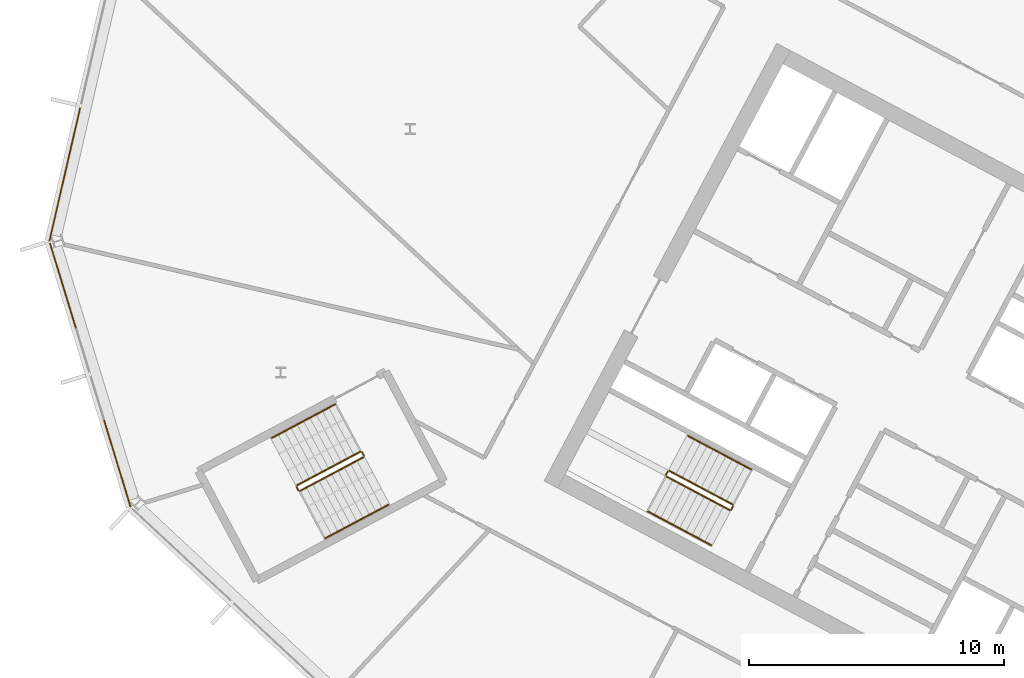
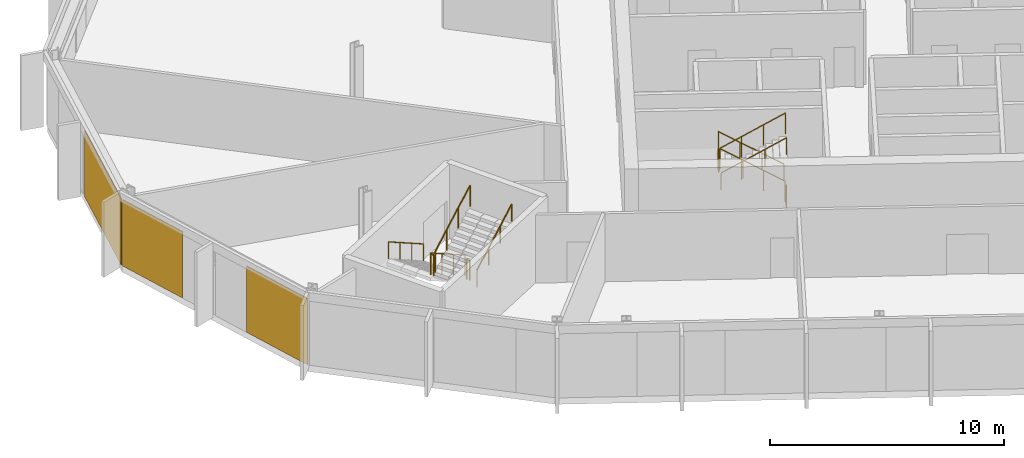
# One storey, part 21 of 27: 12 railings, 3 coverings, 2 elements without a shape of their own.
"""IFC4 building model written with IfcOpenShell, lengths in metres."""

from ifc_helpers import new_model, si_unit, direction, frame, origin, origin_2d, place, context, subcontext, project, spatial, polyline, rectangle, outline, extrude, material, layer, layer_set, type_object, element, aggregate, save


model = new_model("IFC4")

# Units and contexts
model_context = context("Model", 3, precision=1e-05, world=origin(), true_north=direction((0.0, 1.0)))
body_context = subcontext(model_context, "Body", "Model", "MODEL_VIEW")
ifc_project = project(units=[si_unit("LENGTHUNIT", "METRE"), si_unit("AREAUNIT", "SQUARE_METRE"), si_unit("VOLUMEUNIT", "CUBIC_METRE"), si_unit("PLANEANGLEUNIT", "RADIAN"), si_unit("MASSUNIT", "GRAM", prefix="KILO")], contexts=[model_context])

# Site, building, storey
site_placement = place(None, origin())
site = spatial("IfcSite", under=ifc_project, at=site_placement, CompositionType="ELEMENT")
building_placement = place(site_placement, origin())
building = spatial("IfcBuilding", under=site, at=building_placement, Name="Cormorant Relay Tower", CompositionType="ELEMENT")
storey_placement = place(building_placement, frame((0.0, 0.0, 240.300048828125)))
storey = spatial("IfcBuildingStorey", under=building, at=storey_placement, Name="L53", CompositionType="ELEMENT", Elevation=240.300048828125)

# Curtain wall, covering
ifc_material_1 = material(Name="Aluminium 6063-T6 anodised bronze", Category="aluminium")
ifc_layer_1 = layer(ifc_material_1, 0.199951171875)
ifc_layer_set_1 = layer_set([ifc_layer_1], Name="CW1 unitised bronze curtain wall with vertical fins")
curtain_wall_type = type_object("IfcCurtainWallType", Name="CW1 unitised bronze curtain wall with vertical fins", PredefinedType="NOTDEFINED", material=ifc_layer_set_1)
curtain_wall_1_placement = place(storey_placement, origin())
curtain_wall_1 = element("IfcCurtainWall", 1, at=curtain_wall_1_placement, inside=storey, type_object=curtain_wall_type, Name="CW1 curtain wall 13", PredefinedType="NOTDEFINED")
ifc_material_2 = material(Name="Pale bronze anodised aluminium insulated panel", Category="aluminium")
ifc_layer_2 = layer(ifc_material_2, 0.0400390625)
ifc_layer_set_2 = layer_set([ifc_layer_2], Name="CW1 pale bronze insulated panel 40")
covering_type = type_object("IfcCoveringType", Name="CW1 pale bronze insulated panel 40", PredefinedType="CLADDING", material=ifc_layer_set_2)
covering_1_placement = place(storey_placement, frame((-60.136474609375, 23.00927734375, 0.0), z_axis=(0.0, 0.0, 1.0), x_axis=(-0.224951054344, -0.974370064785, 0.0)))
covering_1 = element("IfcCovering", 2, at=covering_1_placement, type_object=covering_type, Name="CW1 panel S02", PredefinedType="CLADDING", context=body_context, shape_type="SweptSolid", body=[
    extrude(rectangle(XDim=5.360107421875, YDim=0.0400390625, at=origin_2d()), origin(), (0.0, 0.0, 1.0), 3.449951171875),
])
aggregate(curtain_wall_1, [covering_1])

# Curtain wall, coverings
curtain_wall_2_placement = place(storey_placement, origin())
curtain_wall_2 = element("IfcCurtainWall", 3, at=curtain_wall_2_placement, inside=storey, type_object=curtain_wall_type, Name="CW1 curtain wall 14", PredefinedType="NOTDEFINED")
covering_2_placement = place(storey_placement, frame((-60.20751953125, 18.6494140625, 0.0), z_axis=(0.0, 0.0, 1.0), x_axis=(0.292371704723, -0.956304755963, 0.0)))
covering_2 = element("IfcCovering", 4, at=covering_2_placement, type_object=covering_type, Name="CW1 panel S00", PredefinedType="CLADDING", context=body_context, shape_type="SweptSolid", body=[
    extrude(rectangle(XDim=3.485107421875, YDim=0.0400390625, at=origin_2d()), origin(), (0.0, 0.0, 1.0), 3.449951171875),
])
covering_3_placement = place(storey_placement, frame((-58.081298828125, 11.6943359375, 0.0), z_axis=(0.0, 0.0, 1.0), x_axis=(0.292371704723, -0.956304755963, 0.0)))
covering_3 = element("IfcCovering", 5, at=covering_3_placement, type_object=covering_type, Name="CW1 panel S03", PredefinedType="CLADDING", context=body_context, shape_type="SweptSolid", body=[
    extrude(rectangle(XDim=3.560302734375, YDim=0.0400390625, at=origin_2d()), origin(), (0.0, 0.0, 1.0), 3.449951171875),
])
aggregate(curtain_wall_2, [covering_2, covering_3])

# Railings
ifc_material_3 = material(Name="Steel ASTM A572 Grade 50 (Fy 345 MPa)", Category="steel")
railing_type_1 = type_object("IfcRailingType", Name="Stair guard 1100", PredefinedType="GUARDRAIL", material=ifc_material_3)
railing_1_placement = place(storey_placement, frame((-33.9921875, 10.08935546875, 0.17724609375)))
element("IfcRailing", 6, at=railing_1_placement, inside=storey, type_object=railing_type_1, Name="L53 A2 stair guard 1", PredefinedType="GUARDRAIL", context=body_context, shape_type="SweptSolid", body=[
    extrude(outline(polyline([(0.022216796875, 0.00927734375), (0.00927734375, 0.022216796875), (-0.00927734375, 0.022216796875), (-0.022216796875, 0.00927734375), (-0.022216796875, -0.00927734375), (-0.00927734375, -0.022216796875), (0.00927734375, -0.022216796875), (0.022216796875, -0.00927734375), (0.022216796875, 0.00927734375)])), frame((0.0, 0.0, 1.076171875), z_axis=(-0.746001213114, 0.396649272309, 0.534931345884), x_axis=(-0.469465464807, -0.882950835185, 0.0)), (0.0, 0.0, 1.0), 3.31396484375),
    extrude(outline(polyline([(0.019287109375, 0.008056640625), (0.008056640625, 0.019287109375), (-0.008056640625, 0.019287109375), (-0.019287109375, 0.008056640625), (-0.019287109375, -0.008056640625), (-0.008056640625, -0.019287109375), (0.008056640625, -0.019287109375), (0.019287109375, -0.008056640625), (0.019287109375, 0.008056640625)])), origin(), (0.0, 0.0, 1.0), 1.052001953125),
    extrude(outline(polyline([(0.019287109375, 0.008056640625), (0.008056640625, 0.019287109375), (-0.008056640625, 0.019287109375), (-0.019287109375, 0.008056640625), (-0.019287109375, -0.008056640625), (-0.008056640625, -0.019287109375), (0.008056640625, -0.019287109375), (0.019287109375, -0.008056640625), (0.019287109375, 0.008056640625)])), frame((-0.823974609375, 0.438232421875, 0.5908203125)), (0.0, 0.0, 1.0), 1.052001953125),
    extrude(outline(polyline([(0.019287109375, 0.008056640625), (0.008056640625, 0.019287109375), (-0.008056640625, 0.019287109375), (-0.019287109375, 0.008056640625), (-0.019287109375, -0.008056640625), (-0.008056640625, -0.019287109375), (0.008056640625, -0.019287109375), (0.019287109375, -0.008056640625), (0.019287109375, 0.008056640625)])), frame((-1.648193359375, 0.876220703125, 1.181884765625)), (0.0, 0.0, 1.0), 1.052001953125),
    extrude(outline(polyline([(0.019287109375, 0.008056640625), (0.008056640625, 0.019287109375), (-0.008056640625, 0.019287109375), (-0.019287109375, 0.008056640625), (-0.019287109375, -0.008056640625), (-0.008056640625, -0.019287109375), (0.008056640625, -0.019287109375), (0.019287109375, -0.008056640625), (0.019287109375, 0.008056640625)])), frame((-2.47216796875, 1.314453125, 1.772705078125)), (0.0, 0.0, 1.0), 1.052001953125),
])
railing_2_placement = place(storey_placement, frame((-36.531982421875, 11.38330078125, 1.949951171875)))
element("IfcRailing", 7, at=railing_2_placement, inside=storey, type_object=railing_type_1, Name="L53 A2 stair guard 2", PredefinedType="GUARDRAIL", context=body_context, shape_type="SweptSolid", body=[
    extrude(outline(polyline([(0.022216796875, 0.00927734375), (0.00927734375, 0.022216796875), (-0.00927734375, 0.022216796875), (-0.022216796875, 0.00927734375), (-0.022216796875, -0.00927734375), (-0.00927734375, -0.022216796875), (0.00927734375, -0.022216796875), (0.022216796875, -0.00927734375), (0.022216796875, 0.00927734375)])), frame((0.0, 0.0, 1.076171875), z_axis=(-0.469828648786, -0.882757634224, 0.0), x_axis=(0.882757634224, -0.469828648786, 0.0)), (0.0, 0.0, 1.0), 0.150146484375),
    extrude(outline(polyline([(0.019287109375, 0.008056640625), (0.008056640625, 0.019287109375), (-0.008056640625, 0.019287109375), (-0.019287109375, 0.008056640625), (-0.019287109375, -0.008056640625), (-0.008056640625, -0.019287109375), (0.008056640625, -0.019287109375), (0.019287109375, -0.008056640625), (0.019287109375, 0.008056640625)])), origin(), (0.0, 0.0, 1.0), 1.052001953125),
    extrude(outline(polyline([(0.019287109375, 0.008056640625), (0.008056640625, 0.019287109375), (-0.008056640625, 0.019287109375), (-0.019287109375, 0.008056640625), (-0.019287109375, -0.008056640625), (-0.008056640625, -0.019287109375), (0.008056640625, -0.019287109375), (0.019287109375, -0.008056640625), (0.019287109375, 0.008056640625)])), frame((-0.070556640625, -0.132568359375, 0.0)), (0.0, 0.0, 1.0), 1.052001953125),
])
railing_3_placement = place(storey_placement, frame((-36.581787109375, 11.18310546875, 2.127197265625)))
element("IfcRailing", 8, at=railing_3_placement, inside=storey, type_object=railing_type_1, Name="L53 A2 stair guard 3", PredefinedType="GUARDRAIL", context=body_context, shape_type="SweptSolid", body=[
    extrude(outline(polyline([(0.022216796875, 0.00927734375), (0.00927734375, 0.022216796875), (-0.00927734375, 0.022216796875), (-0.022216796875, 0.00927734375), (-0.022216796875, -0.00927734375), (-0.00927734375, -0.022216796875), (0.00927734375, -0.022216796875), (0.022216796875, -0.00927734375), (0.022216796875, 0.00927734375)])), frame((0.0, 0.0, 1.076171875), z_axis=(0.746001213114, -0.396649272309, 0.534931345884), x_axis=(0.469465464807, 0.882950835185, 0.0)), (0.0, 0.0, 1.0), 3.31396484375),
    extrude(outline(polyline([(0.019287109375, 0.008056640625), (0.008056640625, 0.019287109375), (-0.008056640625, 0.019287109375), (-0.019287109375, 0.008056640625), (-0.019287109375, -0.008056640625), (-0.008056640625, -0.019287109375), (0.008056640625, -0.019287109375), (0.019287109375, -0.008056640625), (0.019287109375, 0.008056640625)])), origin(), (0.0, 0.0, 1.0), 1.052001953125),
    extrude(outline(polyline([(0.019287109375, 0.008056640625), (0.008056640625, 0.019287109375), (-0.008056640625, 0.019287109375), (-0.019287109375, 0.008056640625), (-0.019287109375, -0.008056640625), (-0.008056640625, -0.019287109375), (0.008056640625, -0.019287109375), (0.019287109375, -0.008056640625), (0.019287109375, 0.008056640625)])), frame((0.823974609375, -0.438232421875, 0.5908203125)), (0.0, 0.0, 1.0), 1.052001953125),
    extrude(outline(polyline([(0.019287109375, 0.008056640625), (0.008056640625, 0.019287109375), (-0.008056640625, 0.019287109375), (-0.019287109375, 0.008056640625), (-0.019287109375, -0.008056640625), (-0.008056640625, -0.019287109375), (0.008056640625, -0.019287109375), (0.019287109375, -0.008056640625), (0.019287109375, 0.008056640625)])), frame((1.648193359375, -0.876220703125, 1.181884765625)), (0.0, 0.0, 1.0), 1.052001953125),
    extrude(outline(polyline([(0.019287109375, 0.008056640625), (0.008056640625, 0.019287109375), (-0.008056640625, 0.019287109375), (-0.019287109375, 0.008056640625), (-0.019287109375, -0.008056640625), (-0.008056640625, -0.019287109375), (0.008056640625, -0.019287109375), (0.019287109375, -0.008056640625), (0.019287109375, 0.008056640625)])), frame((2.47216796875, -1.314453125, 1.772705078125)), (0.0, 0.0, 1.0), 1.052001953125),
])
railing_4_placement = place(storey_placement, frame((-33.971435546875, 10.021728515625, 0.0)))
element("IfcRailing", 9, at=railing_4_placement, inside=storey, type_object=railing_type_1, Name="L53 A2 stair guard 4", PredefinedType="GUARDRAIL", context=body_context, shape_type="SweptSolid", body=[
    extrude(outline(polyline([(0.022216796875, 0.00927734375), (0.00927734375, 0.022216796875), (-0.00927734375, 0.022216796875), (-0.022216796875, 0.00927734375), (-0.022216796875, -0.00927734375), (-0.00927734375, -0.022216796875), (0.00927734375, -0.022216796875), (0.022216796875, -0.00927734375), (0.022216796875, 0.00927734375)])), frame((0.0, 0.0, 1.076171875), z_axis=(-0.470503732759, -0.882398003998, 0.0), x_axis=(0.882398003998, -0.470503732759, 0.0)), (0.0, 0.0, 1.0), 0.14990234375),
    extrude(outline(polyline([(0.019287109375, 0.008056640625), (0.008056640625, 0.019287109375), (-0.008056640625, 0.019287109375), (-0.019287109375, 0.008056640625), (-0.019287109375, -0.008056640625), (-0.008056640625, -0.019287109375), (0.008056640625, -0.019287109375), (0.019287109375, -0.008056640625), (0.019287109375, 0.008056640625)])), origin(), (0.0, 0.0, 1.0), 1.052001953125),
    extrude(outline(polyline([(0.019287109375, 0.008056640625), (0.008056640625, 0.019287109375), (-0.008056640625, 0.019287109375), (-0.019287109375, 0.008056640625), (-0.019287109375, -0.008056640625), (-0.008056640625, -0.019287109375), (0.008056640625, -0.019287109375), (0.019287109375, -0.008056640625), (0.019287109375, 0.008056640625)])), frame((-0.070556640625, -0.13232421875, 0.0)), (0.0, 0.0, 1.0), 1.052001953125),
])
railing_5_placement = place(storey_placement, frame((-48.5693359375, 12.155517578125, 0.17724609375)))
element("IfcRailing", 10, at=railing_5_placement, inside=storey, type_object=railing_type_1, Name="L53 RP1 stair guard 1", PredefinedType="GUARDRAIL", context=body_context, shape_type="SweptSolid", body=[
    extrude(outline(polyline([(0.022216796875, 0.00927734375), (0.00927734375, 0.022216796875), (-0.00927734375, 0.022216796875), (-0.022216796875, 0.00927734375), (-0.022216796875, -0.00927734375), (-0.00927734375, -0.022216796875), (0.00927734375, -0.022216796875), (0.022216796875, -0.00927734375), (0.022216796875, 0.00927734375)])), frame((0.0, 0.0, 1.076171875), z_axis=(-0.746012083385, -0.396689549623, 0.534886317514), x_axis=(0.469497295046, -0.882933910293, 0.0)), (0.0, 0.0, 1.0), 3.314208984375),
    extrude(outline(polyline([(0.019287109375, 0.008056640625), (0.008056640625, 0.019287109375), (-0.008056640625, 0.019287109375), (-0.019287109375, 0.008056640625), (-0.019287109375, -0.008056640625), (-0.008056640625, -0.019287109375), (0.008056640625, -0.019287109375), (0.019287109375, -0.008056640625), (0.019287109375, 0.008056640625)])), origin(), (0.0, 0.0, 1.0), 1.052001953125),
    extrude(outline(polyline([(0.019287109375, 0.008056640625), (0.008056640625, 0.019287109375), (-0.008056640625, 0.019287109375), (-0.019287109375, 0.008056640625), (-0.019287109375, -0.008056640625), (-0.008056640625, -0.019287109375), (0.008056640625, -0.019287109375), (0.019287109375, -0.008056640625), (0.019287109375, 0.008056640625)])), frame((-0.82421875, -0.438232421875, 0.5908203125)), (0.0, 0.0, 1.0), 1.052001953125),
    extrude(outline(polyline([(0.019287109375, 0.008056640625), (0.008056640625, 0.019287109375), (-0.008056640625, 0.019287109375), (-0.019287109375, 0.008056640625), (-0.019287109375, -0.008056640625), (-0.008056640625, -0.019287109375), (0.008056640625, -0.019287109375), (0.019287109375, -0.008056640625), (0.019287109375, 0.008056640625)])), frame((-1.648193359375, -0.87646484375, 1.181884765625)), (0.0, 0.0, 1.0), 1.052001953125),
    extrude(outline(polyline([(0.019287109375, 0.008056640625), (0.008056640625, 0.019287109375), (-0.008056640625, 0.019287109375), (-0.019287109375, 0.008056640625), (-0.019287109375, -0.008056640625), (-0.008056640625, -0.019287109375), (0.008056640625, -0.019287109375), (0.019287109375, -0.008056640625), (0.019287109375, 0.008056640625)])), frame((-2.472412109375, -1.314697265625, 1.772705078125)), (0.0, 0.0, 1.0), 1.052001953125),
])
railing_6_placement = place(storey_placement, frame((-51.062255859375, 10.773193359375, 1.949951171875)))
element("IfcRailing", 11, at=railing_6_placement, inside=storey, type_object=railing_type_1, Name="L53 RP1 stair guard 2", PredefinedType="GUARDRAIL", context=body_context, shape_type="SweptSolid", body=[
    extrude(outline(polyline([(0.022216796875, 0.00927734375), (0.00927734375, 0.022216796875), (-0.00927734375, 0.022216796875), (-0.022216796875, 0.00927734375), (-0.022216796875, -0.00927734375), (-0.00927734375, -0.022216796875), (0.00927734375, -0.022216796875), (0.022216796875, -0.00927734375), (0.022216796875, 0.00927734375)])), frame((0.0, 0.0, 1.076171875), z_axis=(0.469234640946, -0.883073525669, 0.0), x_axis=(0.883073525669, 0.469234640946, 0.0)), (0.0, 0.0, 1.0), 0.14990234375),
    extrude(outline(polyline([(0.019287109375, 0.008056640625), (0.008056640625, 0.019287109375), (-0.008056640625, 0.019287109375), (-0.019287109375, 0.008056640625), (-0.019287109375, -0.008056640625), (-0.008056640625, -0.019287109375), (0.008056640625, -0.019287109375), (0.019287109375, -0.008056640625), (0.019287109375, 0.008056640625)])), origin(), (0.0, 0.0, 1.0), 1.052001953125),
    extrude(outline(polyline([(0.019287109375, 0.008056640625), (0.008056640625, 0.019287109375), (-0.008056640625, 0.019287109375), (-0.019287109375, 0.008056640625), (-0.019287109375, -0.008056640625), (-0.008056640625, -0.019287109375), (0.008056640625, -0.019287109375), (0.019287109375, -0.008056640625), (0.019287109375, 0.008056640625)])), frame((0.0703125, -0.13232421875, 0.0)), (0.0, 0.0, 1.0), 1.052001953125),
])
railing_7_placement = place(storey_placement, frame((-50.92431640625, 10.6201171875, 2.127197265625)))
element("IfcRailing", 12, at=railing_7_placement, inside=storey, type_object=railing_type_1, Name="L53 RP1 stair guard 3", PredefinedType="GUARDRAIL", context=body_context, shape_type="SweptSolid", body=[
    extrude(outline(polyline([(0.022216796875, 0.00927734375), (0.00927734375, 0.022216796875), (-0.00927734375, 0.022216796875), (-0.022216796875, 0.00927734375), (-0.022216796875, -0.00927734375), (-0.00927734375, -0.022216796875), (0.00927734375, -0.022216796875), (0.022216796875, -0.00927734375), (0.022216796875, 0.00927734375)])), frame((0.0, 0.0, 1.076171875), z_axis=(0.746033882577, 0.396627473466, 0.534901947407), x_axis=(-0.469429322983, 0.882970050864, 0.0)), (0.0, 0.0, 1.0), 3.31396484375),
    extrude(outline(polyline([(0.019287109375, 0.008056640625), (0.008056640625, 0.019287109375), (-0.008056640625, 0.019287109375), (-0.019287109375, 0.008056640625), (-0.019287109375, -0.008056640625), (-0.008056640625, -0.019287109375), (0.008056640625, -0.019287109375), (0.019287109375, -0.008056640625), (0.019287109375, 0.008056640625)])), origin(), (0.0, 0.0, 1.0), 1.052001953125),
    extrude(outline(polyline([(0.019287109375, 0.008056640625), (0.008056640625, 0.019287109375), (-0.008056640625, 0.019287109375), (-0.019287109375, 0.008056640625), (-0.019287109375, -0.008056640625), (-0.008056640625, -0.019287109375), (0.008056640625, -0.019287109375), (0.019287109375, -0.008056640625), (0.019287109375, 0.008056640625)])), frame((0.82421875, 0.438232421875, 0.5908203125)), (0.0, 0.0, 1.0), 1.052001953125),
    extrude(outline(polyline([(0.019287109375, 0.008056640625), (0.008056640625, 0.019287109375), (-0.008056640625, 0.019287109375), (-0.019287109375, 0.008056640625), (-0.019287109375, -0.008056640625), (-0.008056640625, -0.019287109375), (0.008056640625, -0.019287109375), (0.019287109375, -0.008056640625), (0.019287109375, 0.008056640625)])), frame((1.648193359375, 0.876220703125, 1.181884765625)), (0.0, 0.0, 1.0), 1.052001953125),
    extrude(outline(polyline([(0.019287109375, 0.008056640625), (0.008056640625, 0.019287109375), (-0.008056640625, 0.019287109375), (-0.019287109375, 0.008056640625), (-0.019287109375, -0.008056640625), (-0.008056640625, -0.019287109375), (0.008056640625, -0.019287109375), (0.019287109375, -0.008056640625), (0.019287109375, 0.008056640625)])), frame((2.472412109375, 1.314453125, 1.772705078125)), (0.0, 0.0, 1.0), 1.052001953125),
])
railing_8_placement = place(storey_placement, frame((-48.501708984375, 12.134765625, 0.0)))
element("IfcRailing", 13, at=railing_8_placement, inside=storey, type_object=railing_type_1, Name="L53 RP1 stair guard 4", PredefinedType="GUARDRAIL", context=body_context, shape_type="SweptSolid", body=[
    extrude(outline(polyline([(0.022216796875, 0.00927734375), (0.00927734375, 0.022216796875), (-0.00927734375, 0.022216796875), (-0.022216796875, 0.00927734375), (-0.022216796875, -0.00927734375), (-0.00927734375, -0.022216796875), (0.00927734375, -0.022216796875), (0.022216796875, -0.00927734375), (0.022216796875, 0.00927734375)])), frame((0.0, 0.0, 1.076171875), z_axis=(0.46856034887, -0.8834314911, 0.0), x_axis=(0.8834314911, 0.46856034887, 0.0)), (0.0, 0.0, 1.0), 0.150146484375),
    extrude(outline(polyline([(0.019287109375, 0.008056640625), (0.008056640625, 0.019287109375), (-0.008056640625, 0.019287109375), (-0.019287109375, 0.008056640625), (-0.019287109375, -0.008056640625), (-0.008056640625, -0.019287109375), (0.008056640625, -0.019287109375), (0.019287109375, -0.008056640625), (0.019287109375, 0.008056640625)])), origin(), (0.0, 0.0, 1.0), 1.052001953125),
    extrude(outline(polyline([(0.019287109375, 0.008056640625), (0.008056640625, 0.019287109375), (-0.008056640625, 0.019287109375), (-0.019287109375, 0.008056640625), (-0.019287109375, -0.008056640625), (-0.008056640625, -0.019287109375), (0.008056640625, -0.019287109375), (0.019287109375, -0.008056640625), (0.019287109375, 0.008056640625)])), frame((0.0703125, -0.132568359375, 0.0)), (0.0, 0.0, 1.0), 1.052001953125),
])
ifc_material_4 = material(Name="Steel ASTM A572 Grade 50 (Fy 345 MPa)", Category="steel")
railing_type_2 = type_object("IfcRailingType", Name="Stair handrail 900", PredefinedType="HANDRAIL", material=ifc_material_4)
railing_9_placement = place(storey_placement, frame((-33.264404296875, 11.4580078125, 0.17724609375)))
element("IfcRailing", 14, at=railing_9_placement, inside=storey, type_object=railing_type_2, Name="L53 A2 stair handrail 1", PredefinedType="HANDRAIL", context=body_context, shape_type="SweptSolid", body=[
    extrude(outline(polyline([(0.022216796875, 0.00927734375), (0.00927734375, 0.022216796875), (-0.00927734375, 0.022216796875), (-0.022216796875, 0.00927734375), (-0.022216796875, -0.00927734375), (-0.00927734375, -0.022216796875), (0.00927734375, -0.022216796875), (0.022216796875, -0.00927734375), (0.022216796875, 0.00927734375)])), frame((0.0, 0.0, 0.8759765625), z_axis=(-0.746033882577, 0.396627473466, 0.534901947407), x_axis=(-0.469429322983, -0.882970050864, 0.0)), (0.0, 0.0, 1.0), 3.31396484375),
    extrude(outline(polyline([(0.019287109375, 0.008056640625), (0.008056640625, 0.019287109375), (-0.008056640625, 0.019287109375), (-0.019287109375, 0.008056640625), (-0.019287109375, -0.008056640625), (-0.008056640625, -0.019287109375), (0.008056640625, -0.019287109375), (0.019287109375, -0.008056640625), (0.019287109375, 0.008056640625)])), origin(), (0.0, 0.0, 1.0), 0.851806640625),
    extrude(outline(polyline([(0.019287109375, 0.008056640625), (0.008056640625, 0.019287109375), (-0.008056640625, 0.019287109375), (-0.019287109375, 0.008056640625), (-0.019287109375, -0.008056640625), (-0.008056640625, -0.019287109375), (0.008056640625, -0.019287109375), (0.019287109375, -0.008056640625), (0.019287109375, 0.008056640625)])), frame((-0.82421875, 0.438232421875, 0.5908203125)), (0.0, 0.0, 1.0), 0.851806640625),
    extrude(outline(polyline([(0.019287109375, 0.008056640625), (0.008056640625, 0.019287109375), (-0.008056640625, 0.019287109375), (-0.019287109375, 0.008056640625), (-0.019287109375, -0.008056640625), (-0.008056640625, -0.019287109375), (0.008056640625, -0.019287109375), (0.019287109375, -0.008056640625), (0.019287109375, 0.008056640625)])), frame((-1.648193359375, 0.876220703125, 1.181884765625)), (0.0, 0.0, 1.0), 0.851806640625),
    extrude(outline(polyline([(0.019287109375, 0.008056640625), (0.008056640625, 0.019287109375), (-0.008056640625, 0.019287109375), (-0.019287109375, 0.008056640625), (-0.019287109375, -0.008056640625), (-0.008056640625, -0.019287109375), (0.008056640625, -0.019287109375), (0.019287109375, -0.008056640625), (0.019287109375, 0.008056640625)])), frame((-2.472412109375, 1.314453125, 1.772705078125)), (0.0, 0.0, 1.0), 0.851806640625),
])
railing_10_placement = place(storey_placement, frame((-37.3095703125, 9.814453125, 2.127197265625)))
element("IfcRailing", 15, at=railing_10_placement, inside=storey, type_object=railing_type_2, Name="L53 A2 stair handrail 2", PredefinedType="HANDRAIL", context=body_context, shape_type="SweptSolid", body=[
    extrude(outline(polyline([(0.022216796875, 0.00927734375), (0.00927734375, 0.022216796875), (-0.00927734375, 0.022216796875), (-0.022216796875, 0.00927734375), (-0.022216796875, -0.00927734375), (-0.00927734375, -0.022216796875), (0.00927734375, -0.022216796875), (0.022216796875, -0.00927734375), (0.022216796875, 0.00927734375)])), frame((0.0, 0.0, 0.8759765625), z_axis=(0.746033882577, -0.396627473466, 0.534901947407), x_axis=(0.469429322983, 0.882970050864, 0.0)), (0.0, 0.0, 1.0), 3.31396484375),
    extrude(outline(polyline([(0.019287109375, 0.008056640625), (0.008056640625, 0.019287109375), (-0.008056640625, 0.019287109375), (-0.019287109375, 0.008056640625), (-0.019287109375, -0.008056640625), (-0.008056640625, -0.019287109375), (0.008056640625, -0.019287109375), (0.019287109375, -0.008056640625), (0.019287109375, 0.008056640625)])), origin(), (0.0, 0.0, 1.0), 0.851806640625),
    extrude(outline(polyline([(0.019287109375, 0.008056640625), (0.008056640625, 0.019287109375), (-0.008056640625, 0.019287109375), (-0.019287109375, 0.008056640625), (-0.019287109375, -0.008056640625), (-0.008056640625, -0.019287109375), (0.008056640625, -0.019287109375), (0.019287109375, -0.008056640625), (0.019287109375, 0.008056640625)])), frame((0.82421875, -0.438232421875, 0.5908203125)), (0.0, 0.0, 1.0), 0.851806640625),
    extrude(outline(polyline([(0.019287109375, 0.008056640625), (0.008056640625, 0.019287109375), (-0.008056640625, 0.019287109375), (-0.019287109375, 0.008056640625), (-0.019287109375, -0.008056640625), (-0.008056640625, -0.019287109375), (0.008056640625, -0.019287109375), (0.019287109375, -0.008056640625), (0.019287109375, 0.008056640625)])), frame((1.648193359375, -0.876220703125, 1.181884765625)), (0.0, 0.0, 1.0), 0.851806640625),
    extrude(outline(polyline([(0.019287109375, 0.008056640625), (0.008056640625, 0.019287109375), (-0.008056640625, 0.019287109375), (-0.019287109375, 0.008056640625), (-0.019287109375, -0.008056640625), (-0.008056640625, -0.019287109375), (0.008056640625, -0.019287109375), (0.019287109375, -0.008056640625), (0.019287109375, 0.008056640625)])), frame((2.472412109375, -1.314453125, 1.772705078125)), (0.0, 0.0, 1.0), 0.851806640625),
])
railing_11_placement = place(storey_placement, frame((-49.55517578125, 14.009521484375, 0.17724609375)))
element("IfcRailing", 16, at=railing_11_placement, inside=storey, type_object=railing_type_2, Name="L53 RP1 stair handrail 1", PredefinedType="HANDRAIL", context=body_context, shape_type="SweptSolid", body=[
    extrude(outline(polyline([(0.022216796875, 0.00927734375), (0.00927734375, 0.022216796875), (-0.00927734375, 0.022216796875), (-0.022216796875, 0.00927734375), (-0.022216796875, -0.00927734375), (-0.00927734375, -0.022216796875), (0.00927734375, -0.022216796875), (0.022216796875, -0.00927734375), (0.022216796875, 0.00927734375)])), frame((0.0, 0.0, 0.8759765625), z_axis=(-0.746033882577, -0.396627473466, 0.534901947407), x_axis=(0.469429322983, -0.882970050864, 0.0)), (0.0, 0.0, 1.0), 3.31396484375),
    extrude(outline(polyline([(0.019287109375, 0.008056640625), (0.008056640625, 0.019287109375), (-0.008056640625, 0.019287109375), (-0.019287109375, 0.008056640625), (-0.019287109375, -0.008056640625), (-0.008056640625, -0.019287109375), (0.008056640625, -0.019287109375), (0.019287109375, -0.008056640625), (0.019287109375, 0.008056640625)])), origin(), (0.0, 0.0, 1.0), 0.851806640625),
    extrude(outline(polyline([(0.019287109375, 0.008056640625), (0.008056640625, 0.019287109375), (-0.008056640625, 0.019287109375), (-0.019287109375, 0.008056640625), (-0.019287109375, -0.008056640625), (-0.008056640625, -0.019287109375), (0.008056640625, -0.019287109375), (0.019287109375, -0.008056640625), (0.019287109375, 0.008056640625)])), frame((-0.82421875, -0.438232421875, 0.5908203125)), (0.0, 0.0, 1.0), 0.851806640625),
    extrude(outline(polyline([(0.019287109375, 0.008056640625), (0.008056640625, 0.019287109375), (-0.008056640625, 0.019287109375), (-0.019287109375, 0.008056640625), (-0.019287109375, -0.008056640625), (-0.008056640625, -0.019287109375), (0.008056640625, -0.019287109375), (0.019287109375, -0.008056640625), (0.019287109375, 0.008056640625)])), frame((-1.648193359375, -0.876220703125, 1.181884765625)), (0.0, 0.0, 1.0), 0.851806640625),
    extrude(outline(polyline([(0.019287109375, 0.008056640625), (0.008056640625, 0.019287109375), (-0.008056640625, 0.019287109375), (-0.019287109375, 0.008056640625), (-0.019287109375, -0.008056640625), (-0.008056640625, -0.019287109375), (0.008056640625, -0.019287109375), (0.019287109375, -0.008056640625), (0.019287109375, 0.008056640625)])), frame((-2.472412109375, -1.314453125, 1.772705078125)), (0.0, 0.0, 1.0), 0.851806640625),
])
railing_12_placement = place(storey_placement, frame((-49.9384765625, 8.765869140625, 2.127197265625)))
element("IfcRailing", 17, at=railing_12_placement, inside=storey, type_object=railing_type_2, Name="L53 RP1 stair handrail 2", PredefinedType="HANDRAIL", context=body_context, shape_type="SweptSolid", body=[
    extrude(outline(polyline([(0.022216796875, 0.00927734375), (0.00927734375, 0.022216796875), (-0.00927734375, 0.022216796875), (-0.022216796875, 0.00927734375), (-0.022216796875, -0.00927734375), (-0.00927734375, -0.022216796875), (0.00927734375, -0.022216796875), (0.022216796875, -0.00927734375), (0.022216796875, 0.00927734375)])), frame((0.0, 0.0, 0.8759765625), z_axis=(0.746012083385, 0.396689549623, 0.534886317514), x_axis=(-0.469497295046, 0.882933910293, 0.0)), (0.0, 0.0, 1.0), 3.314208984375),
    extrude(outline(polyline([(0.019287109375, 0.008056640625), (0.008056640625, 0.019287109375), (-0.008056640625, 0.019287109375), (-0.019287109375, 0.008056640625), (-0.019287109375, -0.008056640625), (-0.008056640625, -0.019287109375), (0.008056640625, -0.019287109375), (0.019287109375, -0.008056640625), (0.019287109375, 0.008056640625)])), origin(), (0.0, 0.0, 1.0), 0.851806640625),
    extrude(outline(polyline([(0.019287109375, 0.008056640625), (0.008056640625, 0.019287109375), (-0.008056640625, 0.019287109375), (-0.019287109375, 0.008056640625), (-0.019287109375, -0.008056640625), (-0.008056640625, -0.019287109375), (0.008056640625, -0.019287109375), (0.019287109375, -0.008056640625), (0.019287109375, 0.008056640625)])), frame((0.82421875, 0.438232421875, 0.5908203125)), (0.0, 0.0, 1.0), 0.851806640625),
    extrude(outline(polyline([(0.019287109375, 0.008056640625), (0.008056640625, 0.019287109375), (-0.008056640625, 0.019287109375), (-0.019287109375, 0.008056640625), (-0.019287109375, -0.008056640625), (-0.008056640625, -0.019287109375), (0.008056640625, -0.019287109375), (0.019287109375, -0.008056640625), (0.019287109375, 0.008056640625)])), frame((1.648193359375, 0.87646484375, 1.181884765625)), (0.0, 0.0, 1.0), 0.851806640625),
    extrude(outline(polyline([(0.019287109375, 0.008056640625), (0.008056640625, 0.019287109375), (-0.008056640625, 0.019287109375), (-0.019287109375, 0.008056640625), (-0.019287109375, -0.008056640625), (-0.008056640625, -0.019287109375), (0.008056640625, -0.019287109375), (0.019287109375, -0.008056640625), (0.019287109375, 0.008056640625)])), frame((2.472412109375, 1.314697265625, 1.772705078125)), (0.0, 0.0, 1.0), 0.851806640625),
])

save(model, "model.ifc")
